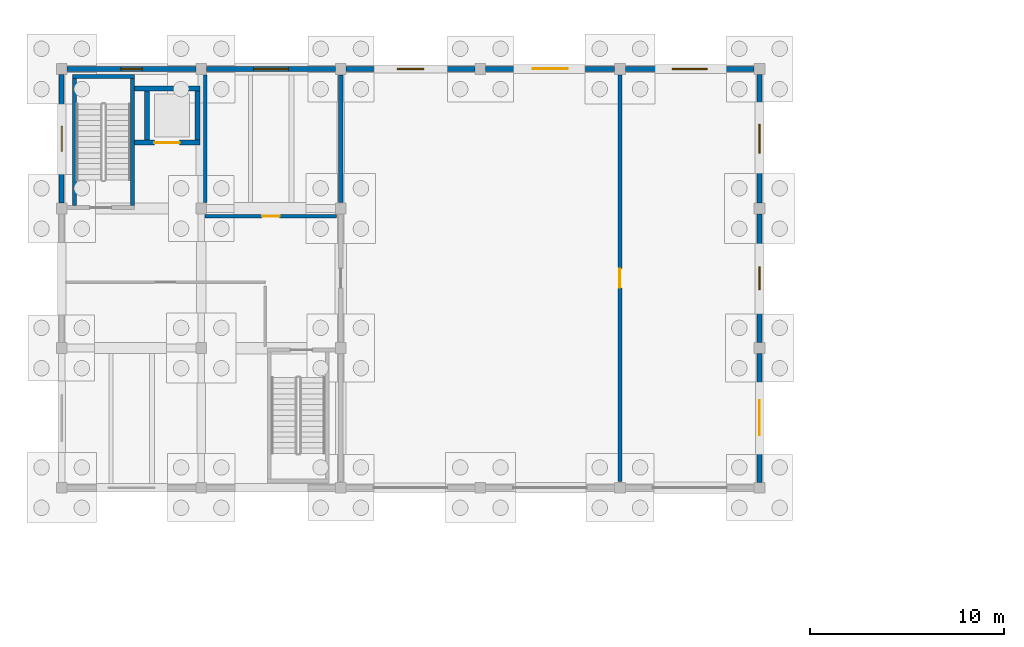
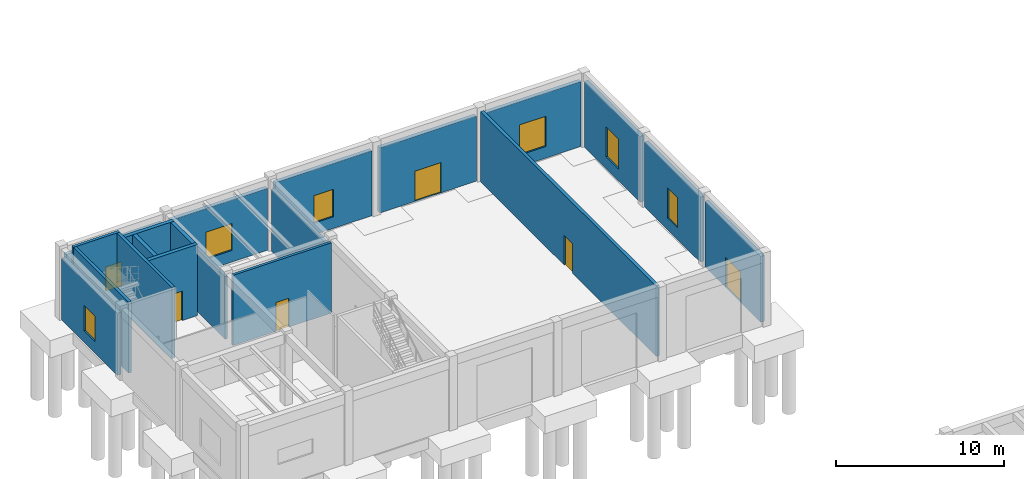
# One storey, part 67 of 93: 20 walls, 7 windows, 5 doors, 12 openings.
"""IFC4 building model written with IfcOpenShell, lengths in metres."""

from ifc_helpers import new_model, si_unit, direction, frame, frame_2d, origin, place, context, subcontext, project, spatial, rectangle, extrude, material, layer, layer_set, type_object, element, fill, save


model = new_model("IFC4")

# Units and contexts
model_context = context("Model", 3, precision=1e-05, world=origin(), true_north=direction((0.0, 1.0)))
body_context = subcontext(model_context, "Body", "Model", "MODEL_VIEW")
ifc_project = project(units=[si_unit("LENGTHUNIT", "METRE"), si_unit("AREAUNIT", "SQUARE_METRE"), si_unit("VOLUMEUNIT", "CUBIC_METRE"), si_unit("PLANEANGLEUNIT", "RADIAN"), si_unit("MASSUNIT", "GRAM", prefix="KILO")], contexts=[model_context])

# Site, building, storey
site_placement = place(None, origin())
site = spatial("IfcSite", under=ifc_project, at=site_placement, CompositionType="ELEMENT")
building_placement = place(site_placement, origin())
building = spatial("IfcBuilding", under=site, at=building_placement, Name="Koriwan Promenade Central Fire Station", CompositionType="ELEMENT")
storey_placement = place(building_placement, origin())
storey = spatial("IfcBuildingStorey", under=building, at=storey_placement, Name="L00", CompositionType="ELEMENT", Elevation=0.0)

# Wall, opening, door
ifc_material_1 = material(Name="Precast concrete C40/50", Category="concrete")
ifc_layer_1 = layer(ifc_material_1, 0.260009765625, Name="Precast concrete C40/50")
ifc_layer_set_1 = layer_set([ifc_layer_1], Name="Precast concrete C40/50")
wall_type_1 = type_object("IfcWallType", Name="ExtWall_WorkshopRed_260", PredefinedType="STANDARD", material=ifc_layer_set_1)
wall_1_placement = place(storey_placement, frame((36.0, 93.875, 0.0), z_axis=(0.0, 0.0, 1.0), x_axis=(0.0, 1.0, 0.0)))
wall_1 = element("IfcWall", 1, at=wall_1_placement, inside=storey, type_object=wall_type_1, Name="V6 L00 exterior wall 335", PredefinedType="STANDARD", context=body_context, shape_type="SweptSolid", body=[
    extrude(rectangle(XDim=6.64990234375, YDim=0.260009765625, at=frame_2d((3.324951171875, 0.0))), origin(), (0.0, 0.0, 1.0), 4.7900390625),
])
opening_1_placement = place(wall_1_placement, frame((2.425048828125, 0.0, 0.0)))
opening_1 = element("IfcOpeningElement", 2, at=opening_1_placement, cuts=wall_1, Name="Opening ED-031", PredefinedType="OPENING", context=body_context, shape_type="SweptSolid", body=[
    extrude(rectangle(XDim=1.800048828125, YDim=2.199951171875, at=frame_2d((0.89990234375, 1.10009765625))), frame((0.0, 0.14208984375, 0.0), z_axis=(0.0, -1.0, 0.0), x_axis=(1.0, 0.0, 0.0)), (0.0, 0.0, 1.0), 0.283935546875),
])
ifc_material_2 = material(Name="Aluminium EN AW-6063-T6 and laminated safety glass", Category="aluminium")
door_type_1 = type_object("IfcDoorType", Name="ExitDoorDouble_1800x2200", OperationType="DOUBLE_SWING_LEFT", PredefinedType="DOOR", material=ifc_material_2)
door_1_placement = place(opening_1_placement, frame((1.800048828125, 0.0, 0.0), z_axis=(0.0, 0.0, 1.0), x_axis=(-1.0, 0.0, 0.0)))
door_1 = element("IfcDoor", 3, at=door_1_placement, inside=storey, type_object=door_type_1, Name="V6 Final Pedestrian Exit Door ED-031", OperationType="DOUBLE_SWING_LEFT", OverallHeight=2.199951171875, OverallWidth=1.800048828125, PredefinedType="DOOR", context=body_context, shape_type="SweptSolid", body=[
    extrude(rectangle(XDim=1.800048828125, YDim=2.199951171875, at=frame_2d((0.89990234375, 1.10009765625))), frame((0.0, 0.02490234375, 0.0), z_axis=(0.0, -1.0, 0.0), x_axis=(1.0, 0.0, 0.0)), (0.0, 0.0, 1.0), 0.050048828125),
])
fill(opening_1, door_1)

# Wall, opening, window
wall_2_placement = place(storey_placement, frame((36.0, 101.074951171875, 0.0), z_axis=(0.0, 0.0, 1.0), x_axis=(0.0, 1.0, 0.0)))
wall_2 = element("IfcWall", 4, at=wall_2_placement, inside=storey, type_object=wall_type_1, Name="V6 L00 exterior wall 336", PredefinedType="STANDARD", context=body_context, shape_type="SweptSolid", body=[
    extrude(rectangle(XDim=6.650146484375, YDim=0.260009765625, at=frame_2d((3.3251953125, 0.0))), origin(), (0.0, 0.0, 1.0), 4.739990234375),
])
opening_2_placement = place(wall_2_placement, frame((2.72509765625, 0.0, 0.85009765625)))
opening_2 = element("IfcOpeningElement", 5, at=opening_2_placement, cuts=wall_2, Name="Opening W-01", PredefinedType="OPENING", context=body_context, shape_type="SweptSolid", body=[
    extrude(rectangle(XDim=1.199951171875, YDim=2.199951171875, at=frame_2d((0.60009765625, 1.10009765625))), frame((0.0, 0.14208984375, 0.0), z_axis=(0.0, -1.0, 0.0), x_axis=(1.0, 0.0, 0.0)), (0.0, 0.0, 1.0), 0.283935546875),
])
ifc_material_3 = material(Name="Solar-control low-E laminated double glazing", Category="glass")
window_type_1 = type_object("IfcWindowType", Name="Win_Jharokha_1200x2200", PartitioningType="SINGLE_PANEL", PredefinedType="WINDOW", material=ifc_material_3)
window_1_placement = place(opening_2_placement, origin())
window_1 = element("IfcWindow", 6, at=window_1_placement, inside=storey, type_object=window_type_1, Name="V6 L00 window 0106", OverallHeight=2.199951171875, OverallWidth=1.199951171875, PartitioningType="SINGLE_PANEL", PredefinedType="WINDOW", context=body_context, shape_type="SweptSolid", body=[
    extrude(rectangle(XDim=1.199951171875, YDim=2.199951171875, at=frame_2d((0.60009765625, 1.10009765625))), frame((0.0, 0.030029296875, 0.0), z_axis=(0.0, -1.0, 0.0), x_axis=(1.0, 0.0, 0.0)), (0.0, 0.0, 1.0), 0.06005859375),
])
fill(opening_2, window_1)

wall_3_placement = place(storey_placement, frame((36.0, 108.27490234375, 0.0), z_axis=(0.0, 0.0, 1.0), x_axis=(0.0, 1.0, 0.0)))
wall_3 = element("IfcWall", 7, at=wall_3_placement, inside=storey, type_object=wall_type_1, Name="V6 L00 exterior wall 337", PredefinedType="STANDARD", context=body_context, shape_type="SweptSolid", body=[
    extrude(rectangle(XDim=6.650146484375, YDim=0.260009765625, at=frame_2d((3.3251953125, 0.0))), origin(), (0.0, 0.0, 1.0), 4.7900390625),
])
opening_3_placement = place(wall_3_placement, frame((2.574951171875, 0.0, 0.85009765625)))
opening_3 = element("IfcOpeningElement", 8, at=opening_3_placement, cuts=wall_3, Name="Opening W-02", PredefinedType="OPENING", context=body_context, shape_type="SweptSolid", body=[
    extrude(rectangle(XDim=1.5, YDim=2.199951171875, at=frame_2d((0.75, 1.10009765625))), frame((0.0, 0.14208984375, 0.0), z_axis=(0.0, -1.0, 0.0), x_axis=(1.0, 0.0, 0.0)), (0.0, 0.0, 1.0), 0.283935546875),
])
window_type_2 = type_object("IfcWindowType", Name="Win_Jharokha_1500x2200", PartitioningType="SINGLE_PANEL", PredefinedType="WINDOW", material=ifc_material_3)
window_2_placement = place(opening_3_placement, origin())
window_2 = element("IfcWindow", 9, at=window_2_placement, inside=storey, type_object=window_type_2, Name="V6 L00 window 0107", OverallHeight=2.199951171875, OverallWidth=1.5, PartitioningType="SINGLE_PANEL", PredefinedType="WINDOW", context=body_context, shape_type="SweptSolid", body=[
    extrude(rectangle(XDim=1.5, YDim=2.199951171875, at=frame_2d((0.75, 1.10009765625))), frame((0.0, 0.030029296875, 0.0), z_axis=(0.0, -1.0, 0.0), x_axis=(1.0, 0.0, 0.0)), (0.0, 0.0, 1.0), 0.06005859375),
])
fill(opening_3, window_2)

wall_4_placement = place(storey_placement, frame((35.72509765625, 115.199951171875, 0.0), z_axis=(0.0, 0.0, 1.0), x_axis=(-1.0, 0.0, 0.0)))
wall_4 = element("IfcWall", 10, at=wall_4_placement, inside=storey, type_object=wall_type_1, Name="V6 L00 exterior wall 338", PredefinedType="STANDARD", context=body_context, shape_type="SweptSolid", body=[
    extrude(rectangle(XDim=6.650146484375, YDim=0.260009765625, at=frame_2d((3.3251953125, 0.0))), origin(), (0.0, 0.0, 1.0), 4.739990234375),
])
opening_4_placement = place(wall_4_placement, frame((2.425048828125, 0.0, 0.85009765625)))
opening_4 = element("IfcOpeningElement", 11, at=opening_4_placement, cuts=wall_4, Name="Opening W-03", PredefinedType="OPENING", context=body_context, shape_type="SweptSolid", body=[
    extrude(rectangle(XDim=1.800048828125, YDim=2.199951171875, at=frame_2d((0.89990234375, 1.10009765625))), frame((0.0, 0.14208984375, 0.0), z_axis=(0.0, -1.0, 0.0), x_axis=(1.0, 0.0, 0.0)), (0.0, 0.0, 1.0), 0.283935546875),
])
window_type_3 = type_object("IfcWindowType", Name="Win_Jharokha_1800x2200", PartitioningType="SINGLE_PANEL", PredefinedType="WINDOW", material=ifc_material_3)
window_3_placement = place(opening_4_placement, origin())
window_3 = element("IfcWindow", 12, at=window_3_placement, inside=storey, type_object=window_type_3, Name="V6 L00 window 0108", OverallHeight=2.199951171875, OverallWidth=1.800048828125, PartitioningType="SINGLE_PANEL", PredefinedType="WINDOW", context=body_context, shape_type="SweptSolid", body=[
    extrude(rectangle(XDim=1.800048828125, YDim=2.199951171875, at=frame_2d((0.89990234375, 1.10009765625))), frame((0.0, 0.030029296875, 0.0), z_axis=(0.0, -1.0, 0.0), x_axis=(1.0, 0.0, 0.0)), (0.0, 0.0, 1.0), 0.06005859375),
])
fill(opening_4, window_3)

# Wall, opening, door
wall_5_placement = place(storey_placement, frame((28.52490234375, 115.199951171875, 0.0), z_axis=(0.0, 0.0, 1.0), x_axis=(-1.0, 0.0, 0.0)))
wall_5 = element("IfcWall", 13, at=wall_5_placement, inside=storey, type_object=wall_type_1, Name="V6 L00 exterior wall 339", PredefinedType="STANDARD", context=body_context, shape_type="SweptSolid", body=[
    extrude(rectangle(XDim=6.64990234375, YDim=0.260009765625, at=frame_2d((3.324951171875, 0.0))), origin(), (0.0, 0.0, 1.0), 4.739990234375),
])
opening_5_placement = place(wall_5_placement, frame((2.425048828125, 0.0, 0.0)))
opening_5 = element("IfcOpeningElement", 14, at=opening_5_placement, cuts=wall_5, Name="Opening ED-032", PredefinedType="OPENING", context=body_context, shape_type="SweptSolid", body=[
    extrude(rectangle(XDim=1.800048828125, YDim=2.199951171875, at=frame_2d((0.89990234375, 1.10009765625))), frame((0.0, 0.14208984375, 0.0), z_axis=(0.0, -1.0, 0.0), x_axis=(1.0, 0.0, 0.0)), (0.0, 0.0, 1.0), 0.283935546875),
])
door_2_placement = place(opening_5_placement, frame((1.800048828125, 0.0, 0.0), z_axis=(0.0, 0.0, 1.0), x_axis=(-1.0, 0.0, 0.0)))
door_2 = element("IfcDoor", 15, at=door_2_placement, inside=storey, type_object=door_type_1, Name="V6 Final Pedestrian Exit Door ED-032", OperationType="DOUBLE_SWING_LEFT", OverallHeight=2.199951171875, OverallWidth=1.800048828125, PredefinedType="DOOR", context=body_context, shape_type="SweptSolid", body=[
    extrude(rectangle(XDim=1.800048828125, YDim=2.199951171875, at=frame_2d((0.89990234375, 1.10009765625))), frame((0.0, 0.02490234375, 0.0), z_axis=(0.0, -1.0, 0.0), x_axis=(1.0, 0.0, 0.0)), (0.0, 0.0, 1.0), 0.050048828125),
])
fill(opening_5, door_2)

# Wall, opening, window
wall_6_placement = place(storey_placement, frame((21.324951171875, 115.199951171875, 0.0), z_axis=(0.0, 0.0, 1.0), x_axis=(-1.0, 0.0, 0.0)))
wall_6 = element("IfcWall", 16, at=wall_6_placement, inside=storey, type_object=wall_type_1, Name="V6 L00 exterior wall 340", PredefinedType="STANDARD", context=body_context, shape_type="SweptSolid", body=[
    extrude(rectangle(XDim=6.64990234375, YDim=0.260009765625, at=frame_2d((3.324951171875, 0.0))), origin(), (0.0, 0.0, 1.0), 4.739990234375),
])
opening_6_placement = place(wall_6_placement, frame((2.64990234375, 0.0, 0.85009765625)))
opening_6 = element("IfcOpeningElement", 17, at=opening_6_placement, cuts=wall_6, Name="Opening W-05", PredefinedType="OPENING", context=body_context, shape_type="SweptSolid", body=[
    extrude(rectangle(XDim=1.35009765625, YDim=2.0, at=frame_2d((0.675048828125, 1.0))), frame((0.0, 0.14208984375, 0.0), z_axis=(0.0, -1.0, 0.0), x_axis=(1.0, 0.0, 0.0)), (0.0, 0.0, 1.0), 0.283935546875),
])
window_type_4 = type_object("IfcWindowType", Name="Win_HQ_1350x2000", PartitioningType="SINGLE_PANEL", PredefinedType="WINDOW", material=ifc_material_3)
window_4_placement = place(opening_6_placement, origin())
window_4 = element("IfcWindow", 18, at=window_4_placement, inside=storey, type_object=window_type_4, Name="V6 L00 window 0109", OverallHeight=2.0, OverallWidth=1.35009765625, PartitioningType="SINGLE_PANEL", PredefinedType="WINDOW", context=body_context, shape_type="SweptSolid", body=[
    extrude(rectangle(XDim=1.35009765625, YDim=2.0, at=frame_2d((0.675048828125, 1.0))), frame((0.0, 0.030029296875, 0.0), z_axis=(0.0, -1.0, 0.0), x_axis=(1.0, 0.0, 0.0)), (0.0, 0.0, 1.0), 0.06005859375),
])
fill(opening_6, window_4)

wall_7_placement = place(storey_placement, frame((14.125, 115.199951171875, 0.0), z_axis=(0.0, 0.0, 1.0), x_axis=(-1.0, 0.0, 0.0)))
wall_7 = element("IfcWall", 19, at=wall_7_placement, inside=storey, type_object=wall_type_1, Name="V6 L00 exterior wall 341", PredefinedType="STANDARD", context=body_context, shape_type="SweptSolid", body=[
    extrude(rectangle(XDim=6.64990234375, YDim=0.260009765625, at=frame_2d((3.324951171875, 0.0))), origin(), (0.0, 0.0, 1.0), 4.52001953125),
])
opening_7_placement = place(wall_7_placement, frame((2.425048828125, 0.0, 0.85009765625)))
opening_7 = element("IfcOpeningElement", 20, at=opening_7_placement, cuts=wall_7, Name="Opening W-06", PredefinedType="OPENING", context=body_context, shape_type="SweptSolid", body=[
    extrude(rectangle(XDim=1.800048828125, YDim=1.949951171875, at=frame_2d((0.89990234375, 0.97509765625))), frame((0.0, 0.14208984375, 0.0), z_axis=(0.0, -1.0, 0.0), x_axis=(1.0, 0.0, 0.0)), (0.0, 0.0, 1.0), 0.283935546875),
])
window_type_5 = type_object("IfcWindowType", Name="Win_HQ_1800x1950", PartitioningType="SINGLE_PANEL", PredefinedType="WINDOW", material=ifc_material_3)
window_5_placement = place(opening_7_placement, origin())
window_5 = element("IfcWindow", 21, at=window_5_placement, inside=storey, type_object=window_type_5, Name="V6 L00 window 0110", OverallHeight=1.949951171875, OverallWidth=1.800048828125, PartitioningType="SINGLE_PANEL", PredefinedType="WINDOW", context=body_context, shape_type="SweptSolid", body=[
    extrude(rectangle(XDim=1.800048828125, YDim=1.949951171875, at=frame_2d((0.89990234375, 0.97509765625))), frame((0.0, 0.030029296875, 0.0), z_axis=(0.0, -1.0, 0.0), x_axis=(1.0, 0.0, 0.0)), (0.0, 0.0, 1.0), 0.06005859375),
])
fill(opening_7, window_5)

wall_8_placement = place(storey_placement, frame((6.925048828125, 115.199951171875, 0.0), z_axis=(0.0, 0.0, 1.0), x_axis=(-1.0, 0.0, 0.0)))
wall_8 = element("IfcWall", 22, at=wall_8_placement, inside=storey, type_object=wall_type_1, Name="V6 L00 exterior wall 342", PredefinedType="STANDARD", context=body_context, shape_type="SweptSolid", body=[
    extrude(rectangle(XDim=6.650146484375, YDim=0.260009765625, at=frame_2d((3.3251953125, 0.0))), origin(), (0.0, 0.0, 1.0), 4.52001953125),
])
opening_8_placement = place(wall_8_placement, frame((2.77490234375, 0.0, 0.85009765625)))
opening_8 = element("IfcOpeningElement", 23, at=opening_8_placement, cuts=wall_8, Name="Opening W-09", PredefinedType="OPENING", context=body_context, shape_type="SweptSolid", body=[
    extrude(rectangle(XDim=1.10009765625, YDim=1.75, at=frame_2d((0.550048828125, 0.875))), frame((0.0, 0.14208984375, 0.0), z_axis=(0.0, -1.0, 0.0), x_axis=(1.0, 0.0, 0.0)), (0.0, 0.0, 1.0), 0.283935546875),
])
window_type_6 = type_object("IfcWindowType", Name="Win_Drill_1100x1750", PartitioningType="SINGLE_PANEL", PredefinedType="WINDOW", material=ifc_material_3)
window_6_placement = place(opening_8_placement, origin())
window_6 = element("IfcWindow", 24, at=window_6_placement, inside=storey, type_object=window_type_6, Name="V6 L00 window 0111", OverallHeight=1.75, OverallWidth=1.10009765625, PartitioningType="SINGLE_PANEL", PredefinedType="WINDOW", context=body_context, shape_type="SweptSolid", body=[
    extrude(rectangle(XDim=1.10009765625, YDim=1.75, at=frame_2d((0.550048828125, 0.875))), frame((0.0, 0.030029296875, 0.0), z_axis=(0.0, -1.0, 0.0), x_axis=(1.0, 0.0, 0.0)), (0.0, 0.0, 1.0), 0.06005859375),
])
fill(opening_8, window_6)

wall_9_placement = place(storey_placement, frame((0.0, 114.925048828125, 0.0), z_axis=(0.0, 0.0, 1.0), x_axis=(0.0, -1.0, 0.0)))
wall_9 = element("IfcWall", 25, at=wall_9_placement, inside=storey, type_object=wall_type_1, Name="V6 L00 exterior wall 343", PredefinedType="STANDARD", context=body_context, shape_type="SweptSolid", body=[
    extrude(rectangle(XDim=6.650146484375, YDim=0.260009765625, at=frame_2d((3.3251953125, 0.0))), origin(), (0.0, 0.0, 1.0), 4.52001953125),
])
opening_9_placement = place(wall_9_placement, frame((2.675048828125, 0.0, 0.85009765625)))
opening_9 = element("IfcOpeningElement", 26, at=opening_9_placement, cuts=wall_9, Name="Opening W-10", PredefinedType="OPENING", context=body_context, shape_type="SweptSolid", body=[
    extrude(rectangle(XDim=1.300048828125, YDim=1.85009765625, at=frame_2d((0.64990234375, 0.925048828125))), frame((0.0, 0.14208984375, 0.0), z_axis=(0.0, -1.0, 0.0), x_axis=(1.0, 0.0, 0.0)), (0.0, 0.0, 1.0), 0.283935546875),
])
window_type_7 = type_object("IfcWindowType", Name="Win_Drill_1300x1850", PartitioningType="SINGLE_PANEL", PredefinedType="WINDOW", material=ifc_material_3)
window_7_placement = place(opening_9_placement, origin())
window_7 = element("IfcWindow", 27, at=window_7_placement, inside=storey, type_object=window_type_7, Name="V6 L00 window 0112", OverallHeight=1.85009765625, OverallWidth=1.300048828125, PartitioningType="SINGLE_PANEL", PredefinedType="WINDOW", context=body_context, shape_type="SweptSolid", body=[
    extrude(rectangle(XDim=1.300048828125, YDim=1.85009765625, at=frame_2d((0.64990234375, 0.925048828125))), frame((0.0, 0.030029296875, 0.0), z_axis=(0.0, -1.0, 0.0), x_axis=(1.0, 0.0, 0.0)), (0.0, 0.0, 1.0), 0.06005859375),
])
fill(opening_9, window_7)

# Wall
ifc_material_4 = material(Name="Concrete C35/45 compartment wall", Category="concrete")
ifc_layer_2 = layer(ifc_material_4, 0.219970703125, Name="Concrete C35/45 compartment wall")
ifc_layer_set_2 = layer_set([ifc_layer_2], Name="Concrete C35/45 compartment wall")
wall_type_2 = type_object("IfcWallType", Name="IntWall_Plant_220", PredefinedType="STANDARD", material=ifc_layer_set_2)
wall_10_placement = place(storey_placement, frame((14.39990234375, 108.31494140625, 0.0), z_axis=(0.0, 0.0, 1.0), x_axis=(0.0, 1.0, 0.0)))
element("IfcWall", 28, at=wall_10_placement, inside=storey, type_object=wall_type_2, Name="Heavy Fleet Maintenance Workshop partition W", PredefinedType="STANDARD", context=body_context, shape_type="SweptSolid", body=[
    extrude(rectangle(XDim=6.570068359375, YDim=0.219970703125, at=frame_2d((3.28515625, 0.0))), origin(), (0.0, 0.0, 1.0), 4.51806640625),
])

# Wall, opening, door
wall_11_placement = place(storey_placement, frame((28.800048828125, 93.9150390625, 0.0), z_axis=(0.0, 0.0, 1.0), x_axis=(0.0, 1.0, 0.0)))
wall_11 = element("IfcWall", 29, at=wall_11_placement, inside=storey, type_object=wall_type_2, Name="Heavy Fleet Maintenance Workshop partition E", PredefinedType="STANDARD", context=body_context, shape_type="SweptSolid", body=[
    extrude(rectangle(XDim=20.969970703125, YDim=0.219970703125, at=frame_2d((10.48486328125, 0.0))), origin(), (0.0, 0.0, 1.0), 5.1201171875),
])
opening_10_placement = place(wall_11_placement, frame((9.985107421875, 0.0, 0.0)))
opening_10 = element("IfcOpeningElement", 30, at=opening_10_placement, cuts=wall_11, Name="Opening D-197", PredefinedType="OPENING", context=body_context, shape_type="SweptSolid", body=[
    extrude(rectangle(XDim=1.0, YDim=2.14990234375, at=frame_2d((0.5, 1.074951171875))), frame((0.0, 0.1220703125, 0.0), z_axis=(0.0, -1.0, 0.0), x_axis=(1.0, 0.0, 0.0)), (0.0, 0.0, 1.0), 0.243896484375),
])
ifc_material_5 = material(Name="Hardwood veneer solid-core timber", Category="wood")
door_type_2 = type_object("IfcDoorType", Name="RoomDoor_Office_1000x2150", OperationType="NOTDEFINED", PredefinedType="DOOR", material=ifc_material_5)
door_3_placement = place(opening_10_placement, origin())
door_3 = element("IfcDoor", 31, at=door_3_placement, inside=storey, type_object=door_type_2, Name="Drive-Through Appliance Wash Bay Door D-197", OperationType="SINGLE_SWING_LEFT", OverallHeight=2.14990234375, OverallWidth=1.0, PredefinedType="DOOR", context=body_context, shape_type="SweptSolid", body=[
    extrude(rectangle(XDim=1.0, YDim=2.14990234375, at=frame_2d((0.5, 1.074951171875))), frame((0.0, 0.02490234375, 0.0), z_axis=(0.0, -1.0, 0.0), x_axis=(1.0, 0.0, 0.0)), (0.0, 0.0, 1.0), 0.050048828125),
])
fill(opening_10, door_3)

ifc_material_6 = material(Name="Moisture-resistant sanitary chase wall", Category="gypsum")
ifc_layer_3 = layer(ifc_material_6, 0.179931640625, Name="Moisture-resistant sanitary chase wall")
ifc_layer_set_3 = layer_set([ifc_layer_3], Name="Moisture-resistant sanitary chase wall")
wall_type_3 = type_object("IfcWallType", Name="IntWall_Plumbing_180", PredefinedType="PLUMBINGWALL", material=ifc_layer_set_3)
wall_12_placement = place(storey_placement, frame((7.39990234375, 107.60009765625, 0.0), z_axis=(0.0, 0.0, 1.0), x_axis=(1.0, 0.0, 0.0)))
wall_12 = element("IfcWall", 32, at=wall_12_placement, inside=storey, type_object=wall_type_3, Name="Workshop Male Female and Accessible WCs partition S", PredefinedType="PLUMBINGWALL", context=body_context, shape_type="SweptSolid", body=[
    extrude(rectangle(XDim=6.780029296875, YDim=0.179931640625, at=frame_2d((3.39013671875, 0.0))), origin(), (0.0, 0.0, 1.0), 5.1201171875),
])
opening_11_placement = place(wall_12_placement, frame((2.93994140625, 0.0, 0.0)))
opening_11 = element("IfcOpeningElement", 33, at=opening_11_placement, cuts=wall_12, Name="Opening D-199", PredefinedType="OPENING", context=body_context, shape_type="SweptSolid", body=[
    extrude(rectangle(XDim=0.89990234375, YDim=2.10009765625, at=frame_2d((0.449951171875, 1.050048828125))), frame((0.0, 0.10205078125, 0.0), z_axis=(0.0, -1.0, 0.0), x_axis=(1.0, 0.0, 0.0)), (0.0, 0.0, 1.0), 0.203857421875),
])
ifc_material_7 = material(Name="High-pressure laminate moisture-resistant core", Category="wood")
door_type_3 = type_object("IfcDoorType", Name="RoomDoor_WC_900x2100", OperationType="NOTDEFINED", PredefinedType="DOOR", material=ifc_material_7)
door_4_placement = place(opening_11_placement, origin())
door_4 = element("IfcDoor", 34, at=door_4_placement, inside=storey, type_object=door_type_3, Name="Workshop Male Female and Accessible WCs Door D-199", OperationType="SINGLE_SWING_LEFT", OverallHeight=2.10009765625, OverallWidth=0.89990234375, PredefinedType="DOOR", context=body_context, shape_type="SweptSolid", body=[
    extrude(rectangle(XDim=0.89990234375, YDim=2.10009765625, at=frame_2d((0.449951171875, 1.050048828125))), frame((0.0, 0.02490234375, 0.0), z_axis=(0.0, -1.0, 0.0), x_axis=(1.0, 0.0, 0.0)), (0.0, 0.0, 1.0), 0.050048828125),
])
fill(opening_11, door_4)

# Walls
wall_13_placement = place(storey_placement, frame((7.39990234375, 108.31494140625, 0.0), z_axis=(0.0, 0.0, 1.0), x_axis=(0.0, 1.0, 0.0)))
element("IfcWall", 35, at=wall_13_placement, inside=storey, type_object=wall_type_3, Name="Workshop Male Female and Accessible WCs partition W", PredefinedType="PLUMBINGWALL", context=body_context, shape_type="SweptSolid", body=[
    extrude(rectangle(XDim=6.570068359375, YDim=0.179931640625, at=frame_2d((3.28515625, 0.0))), origin(), (0.0, 0.0, 1.0), 4.568115234375),
])
ifc_material_8 = material(Name="Concrete C40/50", Category="concrete")
ifc_layer_4 = layer(ifc_material_8, 0.199951171875, Name="Concrete C40/50")
ifc_layer_set_4 = layer_set([ifc_layer_4], Name="Concrete C40/50")
wall_type_4 = type_object("IfcWallType", Name="ShearWall_200", PredefinedType="SHEAR", material=ifc_layer_set_4)
wall_14_placement = place(storey_placement, frame((0.56005859375, 114.81005859375, 0.0), z_axis=(0.0, 0.0, 1.0), x_axis=(1.0, 0.0, 0.0)))
element("IfcWall", 36, at=wall_14_placement, inside=storey, type_object=wall_type_4, Name="ST32 L00 structural stair wall N", PredefinedType="SHEAR", context=body_context, shape_type="SweptSolid", body=[
    extrude(rectangle(XDim=3.18994140625, YDim=0.199951171875, at=frame_2d((1.594970703125, 0.0))), origin(), (0.0, 0.0, 1.0), 5.179931640625),
])
for number, where, z_axis, x_axis, name in (
    (37, (0.659912109375, 108.14990234375, 0.0), (0.0, 0.0, 1.0), (0.0, 1.0, 0.0), "ST32 L00 structural stair wall W"),
    (38, (3.64990234375, 108.14990234375, 0.0), (0.0, 0.0, 1.0), (0.0, 1.0, 0.0), "ST32 L00 structural stair wall E"),
):
    element("IfcWall", number, at=place(storey_placement, frame(where, z_axis=z_axis, x_axis=x_axis)), inside=storey, type_object=wall_type_4, Name=name, PredefinedType="SHEAR", context=body_context, shape_type="SweptSolid", body=[
        extrude(rectangle(XDim=6.56005859375, YDim=0.199951171875, at=frame_2d((3.280029296875, 0.0))), origin(), (0.0, 0.0, 1.0), 5.179931640625),
    ])

# Wall, opening, door
ifc_layer_5 = layer(ifc_material_8, 0.25, Name="Concrete C40/50")
ifc_layer_set_5 = layer_set([ifc_layer_5], Name="Concrete C40/50")
wall_type_5 = type_object("IfcWallType", Name="ShearWall_250", PredefinedType="SHEAR", material=ifc_layer_set_5)
wall_15_placement = place(storey_placement, frame((3.75, 111.39990234375, 0.0), z_axis=(0.0, 0.0, 1.0), x_axis=(1.0, 0.0, 0.0)))
wall_15 = element("IfcWall", 39, at=wall_15_placement, inside=storey, type_object=wall_type_5, Name="LG01 shaft wall S (L00)", PredefinedType="SHEAR", context=body_context, shape_type="SweptSolid", body=[
    extrude(rectangle(XDim=3.375, YDim=0.25, at=frame_2d((1.6875, 0.0))), origin(), (0.0, 0.0, 1.0), 5.179931640625),
])
opening_12_placement = place(wall_15_placement, frame((1.03759765625, 0.0, 0.0)))
opening_12 = element("IfcOpeningElement", 40, at=opening_12_placement, cuts=wall_15, Name="Opening LD-LG01-L00", PredefinedType="OPENING", context=body_context, shape_type="SweptSolid", body=[
    extrude(rectangle(XDim=1.300048828125, YDim=2.14990234375, at=frame_2d((0.64990234375, 1.074951171875))), frame((0.0, 0.136962890625, 0.0), z_axis=(0.0, -1.0, 0.0), x_axis=(1.0, 0.0, 0.0)), (0.0, 0.0, 1.0), 0.27392578125),
])
ifc_material_9 = material(Name="Stainless steel 316", Category="steel")
door_type_4 = type_object("IfcDoorType", Name="LiftDoor_Goods_1300x2150", OperationType="SLIDING_TO_LEFT", PredefinedType="DOOR", material=ifc_material_9)
door_5_placement = place(opening_12_placement, origin())
door_5 = element("IfcDoor", 41, at=door_5_placement, inside=storey, type_object=door_type_4, Name="Lift LG01 Sliding Landing Door LD-LG01-L00", OperationType="SLIDING_TO_LEFT", OverallHeight=2.14990234375, OverallWidth=1.300048828125, PredefinedType="DOOR", context=body_context, shape_type="SweptSolid", body=[
    extrude(rectangle(XDim=1.300048828125, YDim=2.14990234375, at=frame_2d((0.64990234375, 1.074951171875))), frame((0.0, 0.02490234375, 0.0), z_axis=(0.0, -1.0, 0.0), x_axis=(1.0, 0.0, 0.0)), (0.0, 0.0, 1.0), 0.050048828125),
])
fill(opening_12, door_5)

# Walls
wall_16_placement = place(storey_placement, frame((3.75, 114.199951171875, 0.0), z_axis=(0.0, 0.0, 1.0), x_axis=(1.0, 0.0, 0.0)))
element("IfcWall", 42, at=wall_16_placement, inside=storey, type_object=wall_type_5, Name="LG01 shaft wall N (L00)", PredefinedType="SHEAR", context=body_context, shape_type="SweptSolid", body=[
    extrude(rectangle(XDim=3.375, YDim=0.25, at=frame_2d((1.6875, 0.0))), origin(), (0.0, 0.0, 1.0), 5.179931640625),
])
for number, where, z_axis, x_axis, name in (
    (43, (4.39990234375, 111.52490234375, 0.0), (0.0, 0.0, 1.0), (0.0, 1.0, 0.0), "LG01 shaft wall W (L00)"),
    (44, (7.0, 111.52490234375, 0.0), (0.0, 0.0, 1.0), (0.0, 1.0, 0.0), "LG01 shaft wall E (L00)"),
):
    element("IfcWall", number, at=place(storey_placement, frame(where, z_axis=z_axis, x_axis=x_axis)), inside=storey, type_object=wall_type_5, Name=name, PredefinedType="SHEAR", context=body_context, shape_type="SweptSolid", body=[
        extrude(rectangle(XDim=2.550048828125, YDim=0.25, at=frame_2d((1.27490234375, 0.0))), origin(), (0.0, 0.0, 1.0), 5.179931640625),
    ])

save(model, "model.ifc")
